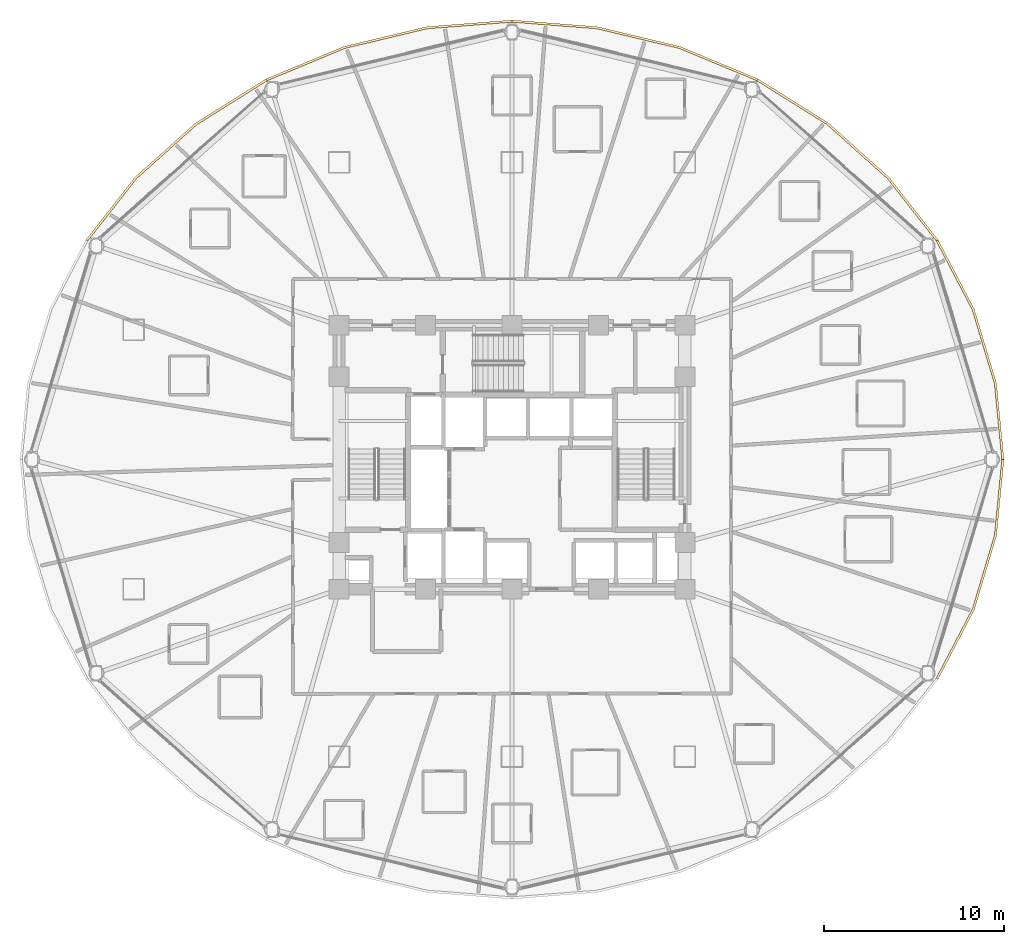
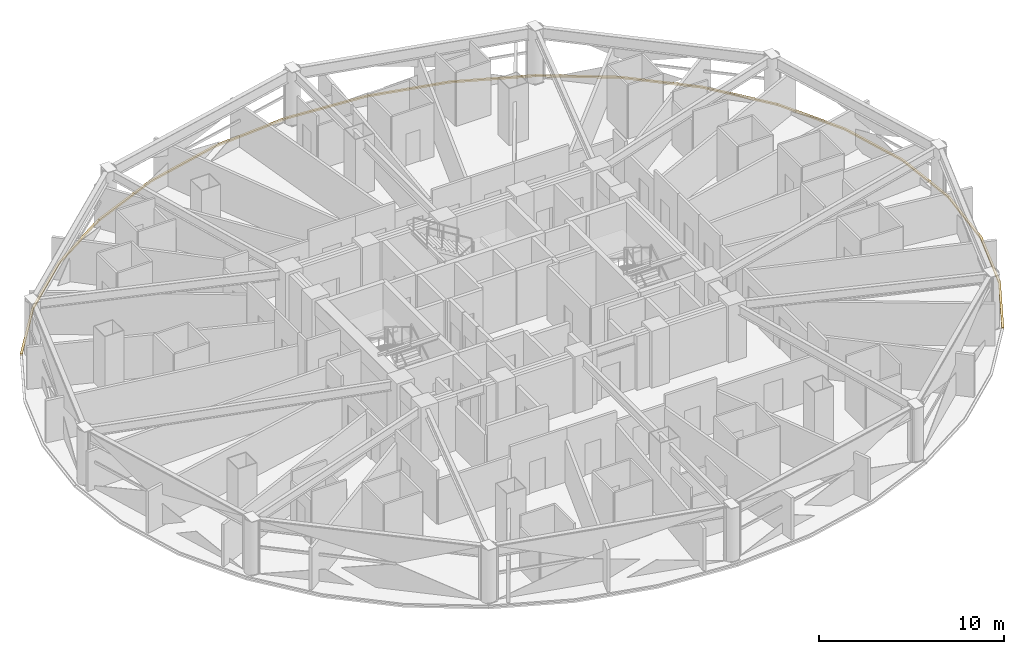
# One storey, part 32 of 32: 6 coverings.
"""IFC4 building model written with IfcOpenShell, lengths in metres."""

from ifc_helpers import new_model, si_unit, direction, frame, origin, place, context, subcontext, project, spatial, polyline, outline, extrude, material, layer, layer_set, type_object, element, save


model = new_model("IFC4")

# Units and contexts
model_context = context("Model", 3, precision=1e-05, world=origin(), true_north=direction((0.0, 1.0)))
body_context = subcontext(model_context, "Body", "Model", "MODEL_VIEW")
ifc_project = project(units=[si_unit("LENGTHUNIT", "METRE"), si_unit("AREAUNIT", "SQUARE_METRE"), si_unit("VOLUMEUNIT", "CUBIC_METRE"), si_unit("PLANEANGLEUNIT", "RADIAN"), si_unit("MASSUNIT", "GRAM", prefix="KILO")], contexts=[model_context])

# Site, building, storey
site_placement = place(None, origin())
site = spatial("IfcSite", under=ifc_project, at=site_placement, CompositionType="ELEMENT")
building_placement = place(site_placement, origin())
building = spatial("IfcBuilding", under=site, at=building_placement, Name="Vantalir Tower", CompositionType="ELEMENT")
storey_placement = place(building_placement, frame((0.0, 0.0, 45.75)))
storey = spatial("IfcBuildingStorey", under=building, at=storey_placement, Name="L10", CompositionType="ELEMENT", Elevation=45.75)

# Coverings
ifc_material = material(Name="Anodised champagne aluminium sill fascia", Category="aluminium")
ifc_layer = layer(ifc_material, 0.125)
ifc_layer_set = layer_set([ifc_layer], Name="Anodised champagne aluminium sill fascia")
covering_type = type_object("IfcCoveringType", Name="COV-SLAB-FASCIA-125", PredefinedType="CLADDING", material=ifc_layer_set)
covering_1_placement = place(storey_placement, frame((0.0, 0.0, -0.179931640625)))
element("IfcCovering", 1, at=covering_1_placement, inside=storey, type_object=covering_type, Name="L10 Perimeter Slab-Edge Sill Fascia 01", PredefinedType="CLADDING", context=body_context, shape_type="SweptSolid", body=[
    extrude(outline(polyline([(58.81396484375, 25.0), (58.39892578125, 29.237060546875), (57.1669921875, 33.345947265625), (55.155029296875, 37.199951171875), (55.0458984375, 37.137939453125), (57.049072265625, 33.302978515625), (58.27587890625, 29.215087890625), (58.68896484375, 25.0), (58.81396484375, 25.0)])), origin(), (0.0, 0.0, 1.0), 0.10498046875),
])
covering_2_placement = place(storey_placement, frame((0.0, 0.0, -0.179931640625)))
element("IfcCovering", 2, at=covering_2_placement, inside=storey, type_object=covering_type, Name="L10 Perimeter Slab-Edge Sill Fascia 02", PredefinedType="CLADDING", context=body_context, shape_type="SweptSolid", body=[
    extrude(outline(polyline([(55.155029296875, 37.199951171875), (52.424072265625, 40.68505859375), (49.056884765625, 43.69189453125), (45.156982421875, 46.132080078125), (45.094970703125, 46.02392578125), (48.97705078125, 43.595947265625), (52.327880859375, 40.60400390625), (55.0458984375, 37.137939453125), (55.155029296875, 37.199951171875)])), origin(), (0.0, 0.0, 1.0), 0.10498046875),
])
covering_3_placement = place(storey_placement, frame((0.0, 0.0, -0.179931640625)))
element("IfcCovering", 3, at=covering_3_placement, inside=storey, type_object=covering_type, Name="L10 Perimeter Slab-Edge Sill Fascia 03", PredefinedType="CLADDING", context=body_context, shape_type="SweptSolid", body=[
    extrude(outline(polyline([(45.156982421875, 46.132080078125), (40.842041015625, 47.928955078125), (36.242919921875, 49.030029296875), (31.5, 49.40087890625), (31.5, 49.27587890625), (36.220947265625, 48.906982421875), (40.799072265625, 47.81201171875), (45.094970703125, 46.02392578125), (45.156982421875, 46.132080078125)])), origin(), (0.0, 0.0, 1.0), 0.10498046875),
])
covering_4_placement = place(storey_placement, frame((0.0, 0.0, -0.179931640625)))
element("IfcCovering", 4, at=covering_4_placement, inside=storey, type_object=covering_type, Name="L10 Perimeter Slab-Edge Sill Fascia 04", PredefinedType="CLADDING", context=body_context, shape_type="SweptSolid", body=[
    extrude(outline(polyline([(31.5, 49.40087890625), (26.757080078125, 49.030029296875), (22.157958984375, 47.928955078125), (17.843017578125, 46.132080078125), (17.906005859375, 46.02392578125), (22.200927734375, 47.81201171875), (26.779052734375, 48.906982421875), (31.5, 49.27587890625), (31.5, 49.40087890625)])), origin(), (0.0, 0.0, 1.0), 0.10498046875),
])
covering_5_placement = place(storey_placement, frame((0.0, 0.0, -0.179931640625)))
element("IfcCovering", 5, at=covering_5_placement, inside=storey, type_object=covering_type, Name="L10 Perimeter Slab-Edge Sill Fascia 05", PredefinedType="CLADDING", context=body_context, shape_type="SweptSolid", body=[
    extrude(outline(polyline([(17.843017578125, 46.132080078125), (13.943115234375, 43.69189453125), (10.575927734375, 40.68505859375), (7.844970703125, 37.199951171875), (7.9541015625, 37.137939453125), (10.672119140625, 40.60400390625), (14.02294921875, 43.595947265625), (17.906005859375, 46.02392578125), (17.843017578125, 46.132080078125)])), origin(), (0.0, 0.0, 1.0), 0.10498046875),
])
covering_6_placement = place(storey_placement, frame((0.0, 0.0, -0.179931640625)))
element("IfcCovering", 6, at=covering_6_placement, inside=storey, type_object=covering_type, Name="L10 Perimeter Slab-Edge Sill Fascia 12", PredefinedType="CLADDING", context=body_context, shape_type="SweptSolid", body=[
    extrude(outline(polyline([(55.155029296875, 12.799072265625), (57.1669921875, 16.654052734375), (58.39892578125, 20.762939453125), (58.81396484375, 25.0), (58.68896484375, 25.0), (58.27587890625, 20.784912109375), (57.049072265625, 16.697021484375), (55.0458984375, 12.862060546875), (55.155029296875, 12.799072265625)])), origin(), (0.0, 0.0, 1.0), 0.10498046875),
])

save(model, "model.ifc")
